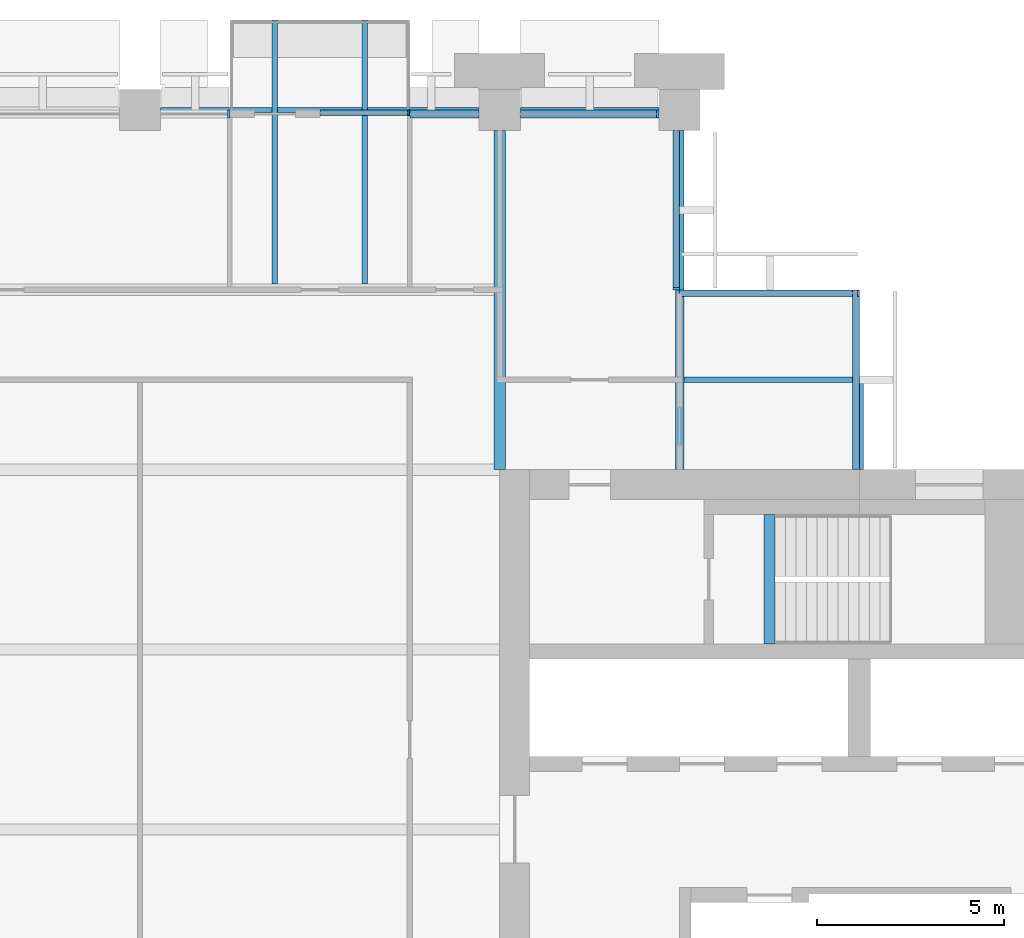
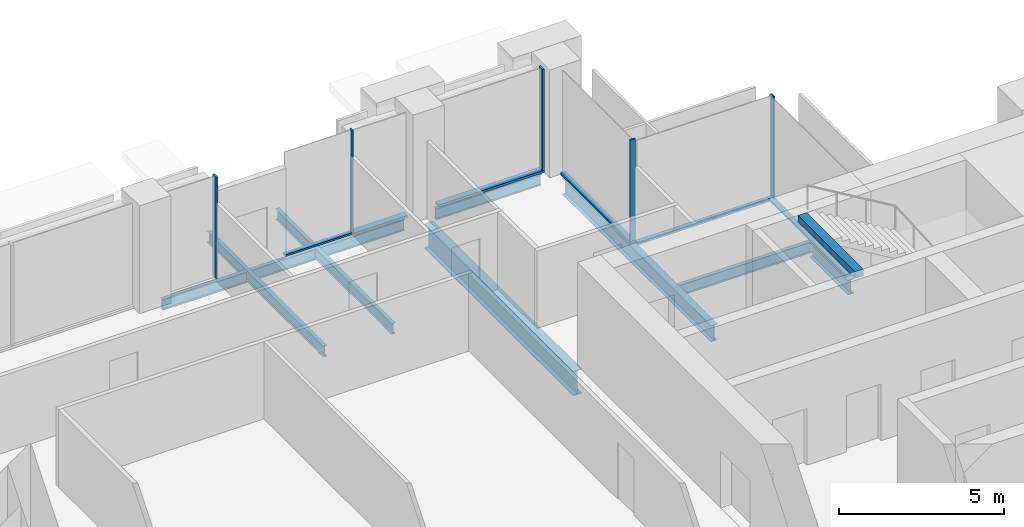
# One storey, part 6 of 14: 11 beams, 11 members, 6 elements without a shape of their own.
"""IFC4 building model written with IfcOpenShell, lengths in metres."""

import ifcopenshell
import ifcopenshell.guid

model = None  # the IFC model being written
_history = None  # IfcOwnerHistory: only IFC2X3 demands one
_inside = {}  # id of a spatial element -> (the spatial element, [elements in it])
_under = {}  # id of a project, library or spatial element -> (it, [spatial elements below it])
_declared = {}  # id of a project -> (the project, [libraries it declares])
_typed = {}  # id of a type object -> (the type object, [elements of that type])
_made_of = {}  # id of a material, layer set ... -> (it, [elements and type objects made of it])


def new_model(schema):
    """Start an empty IFC model of exactly this schema.

    Asked for "IFC4X3", IfcOpenShell would pick the latest addendum, in which some entities
    have other attributes; the version numbers below select the first issue.
    IFC2X3 requires an IfcOwnerHistory on every rooted entity: one is made here for all.
    """
    global model, _history
    if schema == "IFC4X3":
        model = ifcopenshell.file(schema_version=(4, 3, 0, 0))
    else:
        model = ifcopenshell.file(schema=schema)
    _inside.clear()
    _under.clear()
    _declared.clear()
    _typed.clear()
    _made_of.clear()
    _history = None
    if model.schema == "IFC2X3":
        org = make("IfcOrganization", Name="unknown")
        user = make(
            "IfcPersonAndOrganization",
            ThePerson=make("IfcPerson", FamilyName="unknown"),
            TheOrganization=org,
        )
        app = make(
            "IfcApplication",
            ApplicationDeveloper=org,
            Version="unknown",
            ApplicationFullName="unknown",
            ApplicationIdentifier="unknown",
        )
        _history = make(
            "IfcOwnerHistory",
            OwningUser=user,
            OwningApplication=app,
            ChangeAction="ADDED",
            CreationDate=0,
        )
    return model


def make(cls, **values):
    """One entity of the class cls with the attributes given. An attribute that is None is left unset."""
    return model.create_entity(
        cls, **{name: value for name, value in values.items() if value is not None}
    )


def rooted(cls, **values):
    """An entity with a GlobalId (a new one), such as an element, a storey or a relation."""
    return make(cls, GlobalId=ifcopenshell.guid.new(), OwnerHistory=_history, **values)


def si_unit(unit_type, name, prefix=None):
    """IfcSIUnit, for example si_unit("LENGTHUNIT", "METRE", prefix="MILLI")."""
    return make("IfcSIUnit", UnitType=unit_type, Prefix=prefix, Name=name)


def assignment(units):
    """IfcUnitAssignment: the units of a project."""
    return None if units is None else make("IfcUnitAssignment", Units=units)


def point(xyz):
    """IfcCartesianPoint."""
    return None if xyz is None else make("IfcCartesianPoint", Coordinates=xyz)


def direction(xyz):
    """IfcDirection."""
    return None if xyz is None else make("IfcDirection", DirectionRatios=xyz)


def frame(location, z_axis=None, x_axis=None):
    """IfcAxis2Placement3D, a coordinate frame: its origin and axes. An axis left out is left unset."""
    return make(
        "IfcAxis2Placement3D",
        Location=point(location),
        Axis=direction(z_axis),
        RefDirection=direction(x_axis),
    )


def frame_2d(location, x_axis=None):
    """IfcAxis2Placement2D, a coordinate frame in the plane: its origin and x axis."""
    return make(
        "IfcAxis2Placement2D", Location=point(location), RefDirection=direction(x_axis)
    )


def origin():
    """The frame at (0, 0, 0) with its axes left unset."""
    return frame((0.0, 0.0, 0.0))


def origin_2d():
    """The frame at (0, 0) in the plane with its x axis left unset."""
    return frame_2d((0.0, 0.0))


def place(relative_to, where):
    """IfcLocalPlacement: puts the frame where relative to a parent placement (None: the world)."""
    return make(
        "IfcLocalPlacement", PlacementRelTo=relative_to, RelativePlacement=where
    )


def context(
    kind, dimensions, precision=None, world=None, true_north=None, identifier=None
):
    """IfcGeometricRepresentationContext, for example the 3D "Model" context."""
    return make(
        "IfcGeometricRepresentationContext",
        ContextIdentifier=identifier,
        ContextType=kind,
        CoordinateSpaceDimension=dimensions,
        Precision=precision,
        WorldCoordinateSystem=world,
        TrueNorth=true_north,
    )


def subcontext(parent, identifier, kind, view, scale=None):
    """IfcGeometricRepresentationSubContext, for example "Body" below "Model"."""
    return make(
        "IfcGeometricRepresentationSubContext",
        ContextIdentifier=identifier,
        ContextType=kind,
        ParentContext=parent,
        TargetScale=scale,
        TargetView=view,
    )


def project(units=None, contexts=None):
    """IfcProject with its units and contexts."""
    return rooted(
        "IfcProject",
        Name="project",
        RepresentationContexts=contexts,
        UnitsInContext=assignment(units),
    )


def spatial(cls, under=None, at=None, **own):
    """A site, building, storey or space (cls), placed at a placement, below another one or the project."""
    s = rooted(cls, ObjectPlacement=at, **own)
    if under is not None:
        _under.setdefault(under.id(), (under, []))[1].append(s)
    return s


def profile(cls, at=None, kind="AREA", **sizes):
    """A parametric profile (cls). Its sizes go by their IFC names, for example OverallWidth=200.0."""
    return make(cls, ProfileType=kind, Position=at, **sizes)


def rectangle(**sizes):
    """IfcRectangleProfileDef."""
    return profile("IfcRectangleProfileDef", **sizes)


def i_section(**sizes):
    """IfcIShapeProfileDef."""
    return profile("IfcIShapeProfileDef", **sizes)


def extrude(swept, where, along, depth):
    """IfcExtrudedAreaSolid: the profile swept, set in the frame where, extruded along a direction by depth."""
    return make(
        "IfcExtrudedAreaSolid",
        SweptArea=swept,
        Position=where,
        ExtrudedDirection=direction(along),
        Depth=depth,
    )


def shape(context_of_items, identifier, shape_type, items):
    """IfcShapeRepresentation: the items that make up one representation, for example the "Body"."""
    return make(
        "IfcShapeRepresentation",
        ContextOfItems=context_of_items,
        RepresentationIdentifier=identifier,
        RepresentationType=shape_type,
        Items=items,
    )


def material(Name=None, Category=None):
    """IfcMaterial."""
    return make("IfcMaterial", Name=Name, Category=Category)


def material_profile(
    of_material, cross_section, Name=None, Category=None, Priority=None
):
    """IfcMaterialProfile: a cross section and its material."""
    return make(
        "IfcMaterialProfile",
        Name=Name,
        Material=of_material,
        Profile=cross_section,
        Priority=Priority,
        Category=Category,
    )


def profile_set(profiles, Name=None, composite=None):
    """IfcMaterialProfileSet."""
    return make(
        "IfcMaterialProfileSet",
        Name=Name,
        MaterialProfiles=profiles,
        CompositeProfile=composite,
    )


def made_of(thing, what):
    """Note that an element or type object is made of a material, layer set ...; save() writes the relation."""
    if what is not None:
        _made_of.setdefault(what.id(), (what, []))[1].append(thing)
    return thing


def type_object(cls, material=None, **own):
    """A type object (cls), such as IfcWallType, which elements share."""
    return made_of(rooted(cls, **own), material)


def element(
    cls,
    number,
    at=None,
    inside=None,
    cuts=None,
    type_object=None,
    material=None,
    context=None,
    identifier="Body",
    shape_type=None,
    held_by="IfcProductDefinitionShape",
    body=None,
    shapes=None,
    **own,
):
    """One element of the class cls, such as IfcWall. Its Tag is "e" and its number.

    at: its placement. inside: the storey or other place that contains it. cuts: it is an
    opening in that element (IfcRelVoidsElement). A single representation is given by context,
    identifier, shape_type and body (its items); several are given by shapes. held_by: the class
    of the entity that holds the representations. save() writes the other relations.
    """
    e = rooted(cls, Tag="e%d" % number, ObjectPlacement=at, **own)
    if body is not None:
        shapes = [shape(context, identifier, shape_type, body)]
    if shapes is not None:
        e.Representation = make(held_by, Representations=shapes)
    if inside is not None:
        _inside.setdefault(inside.id(), (inside, []))[1].append(e)
    if cuts is not None:
        rooted(
            "IfcRelVoidsElement", RelatingBuildingElement=cuts, RelatedOpeningElement=e
        )
    if type_object is not None:
        _typed.setdefault(type_object.id(), (type_object, []))[1].append(e)
    return made_of(e, material)


def aggregate(whole, parts):
    """IfcRelAggregates: a whole, such as a stair, and the parts it consists of."""
    return rooted("IfcRelAggregates", RelatingObject=whole, RelatedObjects=parts)


def save(model, path):
    """Write the relations noted so far, then the file.

    IfcRelAggregates (storeys below a building ...), IfcRelContainedInSpatialStructure (elements
    in a storey), IfcRelDefinesByType, IfcRelAssociatesMaterial and IfcRelDeclares: one each for
    every whole, place, type object, material and project.
    """
    for whole, parts in _under.values():
        aggregate(whole, parts)
    for where, things in _inside.values():
        rooted(
            "IfcRelContainedInSpatialStructure",
            RelatedElements=things,
            RelatingStructure=where,
        )
    for kind, things in _typed.values():
        rooted("IfcRelDefinesByType", RelatedObjects=things, RelatingType=kind)
    for what, things in _made_of.values():
        rooted("IfcRelAssociatesMaterial", RelatedObjects=things, RelatingMaterial=what)
    for by, libraries in _declared.values():
        rooted("IfcRelDeclares", RelatingContext=by, RelatedDefinitions=libraries)
    model.write(path)


model = new_model("IFC4")

# Units and contexts
model_context = context("Model", 3, precision=1e-05, world=origin(), true_north=direction((0.0, 1.0)))
body_context = subcontext(model_context, "Body", "Model", "MODEL_VIEW")
ifc_project = project(units=[si_unit("LENGTHUNIT", "METRE"), si_unit("AREAUNIT", "SQUARE_METRE"), si_unit("VOLUMEUNIT", "CUBIC_METRE"), si_unit("PLANEANGLEUNIT", "RADIAN"), si_unit("MASSUNIT", "GRAM", prefix="KILO")], contexts=[model_context])

# Site, building, storey
site_placement = place(None, origin())
site = spatial("IfcSite", under=ifc_project, at=site_placement, CompositionType="ELEMENT")
building_placement = place(site_placement, origin())
building = spatial("IfcBuilding", under=site, at=building_placement, Name="Baori Bourse Tower", CompositionType="ELEMENT")
storey_placement = place(building_placement, frame((0.0, 0.0, 197.199951171875)))
storey = spatial("IfcBuildingStorey", under=building, at=storey_placement, Name="L42", CompositionType="ELEMENT", Elevation=197.199951171875)

# Beams
ifc_material_1 = material(Name="Steel A992 Gr 50", Category="steel")
ifc_material_profile_1 = material_profile(ifc_material_1, i_section(OverallWidth=0.140380859375, OverallDepth=0.40380859375, WebThickness=0.007080078125, FlangeThickness=0.01123046875, at=origin_2d()), Name="W16x31")
ifc_profile_set_1 = profile_set([ifc_material_profile_1], Name="Steel A992 Gr 50")
beam_type_1 = type_object("IfcBeamType", Name="Balcony beam W16x31", PredefinedType="BEAM", material=ifc_profile_set_1)
for number, where, z_axis, x_axis, name in (
    (1, (32.39990234375, 50.39990234375, -0.36181640625), (0.0, -1.0, 0.0), (1.0, 0.0, 0.0), "Balcony beam L42"),
    (2, (34.800048828125, 50.39990234375, -0.36181640625), (0.0, -1.0, 0.0), (1.0, 0.0, 0.0), "Balcony beam L42"),
):
    element("IfcBeam", number, at=place(storey_placement, frame(where, z_axis=z_axis, x_axis=x_axis)), inside=storey, type_object=beam_type_1, Name=name, PredefinedType="BEAM", context=body_context, shape_type="SweptSolid", body=[
        extrude(i_section(OverallWidth=0.140380859375, OverallDepth=0.40380859375, WebThickness=0.007080078125, FlangeThickness=0.01123046875, at=origin_2d()), origin(), (0.0, 0.0, 1.0), 7.050048828125),
    ])

# Curtain wall, member
ifc_material_2 = material(Name="Pale anodised aluminium", Category="aluminium")
curtain_wall_type_1 = type_object("IfcCurtainWallType", Name="CW2 Curtain wall", PredefinedType="NOTDEFINED", material=ifc_material_2)
curtain_wall_1_placement = place(storey_placement, origin())
curtain_wall_1 = element("IfcCurtainWall", 3, at=curtain_wall_1_placement, inside=storey, type_object=curtain_wall_type_1, Name="Curtain wall CW2 L42 2", PredefinedType="NOTDEFINED")
ifc_material_3 = material(Name="Pale anodised aluminium", Category="aluminium")
ifc_material_profile_2 = material_profile(ifc_material_3, rectangle(XDim=0.179931640625, YDim=0.054931640625, at=origin_2d()), Name="Mullion 55x180")
ifc_profile_set_2 = profile_set([ifc_material_profile_2], Name="Pale anodised aluminium")
member_type_1 = type_object("IfcMemberType", Name="CW2 Curtain wall mullion", PredefinedType="MULLION", material=ifc_profile_set_2)
member_1_placement = place(storey_placement, frame((47.972412109375, 43.110107421875, 0.070068359375), z_axis=(0.0, 0.0, 1.0), x_axis=(0.0, -1.0, 0.0)))
member_1 = element("IfcMember", 4, at=member_1_placement, type_object=member_type_1, Name="Curtain wall CW2 mullion", PredefinedType="MULLION", context=body_context, shape_type="SweptSolid", body=[
    extrude(rectangle(XDim=0.179931640625, YDim=0.054931640625, at=origin_2d()), origin(), (0.0, 0.0, 1.0), 3.77001953125),
])

curtain_wall_2_placement = place(storey_placement, origin())
curtain_wall_2 = element("IfcCurtainWall", 5, at=curtain_wall_2_placement, inside=storey, type_object=curtain_wall_type_1, Name="Curtain wall CW2 L42 3", PredefinedType="NOTDEFINED")
member_2_placement = place(storey_placement, frame((43.110107421875, 43.2275390625, 0.070068359375), z_axis=(0.0, 0.0, 1.0), x_axis=(-1.0, 0.0, 0.0)))
member_2 = element("IfcMember", 6, at=member_2_placement, type_object=member_type_1, Name="Curtain wall CW2 mullion", PredefinedType="MULLION", context=body_context, shape_type="SweptSolid", body=[
    extrude(rectangle(XDim=0.179931640625, YDim=0.054931640625, at=origin_2d()), origin(), (0.0, 0.0, 1.0), 3.77001953125),
])

curtain_wall_3_placement = place(storey_placement, origin())
curtain_wall_3 = element("IfcCurtainWall", 7, at=curtain_wall_3_placement, inside=storey, type_object=curtain_wall_type_1, Name="Curtain wall CW2 L42 1", PredefinedType="NOTDEFINED")
ifc_material_4 = material(Name="Pale anodised aluminium", Category="aluminium")
ifc_material_profile_3 = material_profile(ifc_material_4, rectangle(XDim=0.179931640625, YDim=0.070068359375, at=origin_2d()), Name="Transom 70x180")
ifc_profile_set_3 = profile_set([ifc_material_profile_3], Name="Pale anodised aluminium")
member_type_2 = type_object("IfcMemberType", Name="CW2 Curtain wall transom", PredefinedType="USERDEFINED", material=ifc_profile_set_3)
member_3_placement = place(storey_placement, frame((47.909912109375, 38.39990234375, 0.03515625), z_axis=(0.0, 1.0, 0.0), x_axis=(-1.0, 0.0, 0.0)))
member_3 = element("IfcMember", 8, at=member_3_placement, type_object=member_type_2, Name="Curtain wall CW2 sill rail", ObjectType="TRANSOM", PredefinedType="USERDEFINED", context=body_context, shape_type="SweptSolid", body=[
    extrude(rectangle(XDim=0.179931640625, YDim=0.070068359375, at=origin_2d()), origin(), (0.0, 0.0, 1.0), 4.800048828125),
])
aggregate(curtain_wall_3, [member_3])

# Member
member_4_placement = place(storey_placement, frame((48.0, 43.110107421875, 0.03515625), z_axis=(-1.0, 0.0, 0.0), x_axis=(0.0, -1.0, 0.0)))
member_4 = element("IfcMember", 9, at=member_4_placement, type_object=member_type_2, Name="Curtain wall CW2 sill rail", ObjectType="TRANSOM", PredefinedType="USERDEFINED", context=body_context, shape_type="SweptSolid", body=[
    extrude(rectangle(XDim=0.179931640625, YDim=0.070068359375, at=origin_2d()), origin(), (0.0, 0.0, 1.0), 4.800048828125),
])

aggregate(curtain_wall_1, [member_4, member_1])

member_5_placement = place(storey_placement, frame((43.110107421875, 43.199951171875, 0.03515625), z_axis=(0.0, 1.0, 0.0), x_axis=(-1.0, 0.0, 0.0)))
member_5 = element("IfcMember", 10, at=member_5_placement, type_object=member_type_2, Name="Curtain wall CW2 sill rail", ObjectType="TRANSOM", PredefinedType="USERDEFINED", context=body_context, shape_type="SweptSolid", body=[
    extrude(rectangle(XDim=0.179931640625, YDim=0.070068359375, at=origin_2d()), origin(), (0.0, 0.0, 1.0), 4.25),
])

aggregate(curtain_wall_2, [member_5, member_2])

# Curtain wall, member
ifc_material_5 = material(Name="Pale anodised aluminium", Category="aluminium")
curtain_wall_type_2 = type_object("IfcCurtainWallType", Name="CW5 Curtain wall", PredefinedType="NOTDEFINED", material=ifc_material_5)
curtain_wall_4_placement = place(storey_placement, origin())
curtain_wall_4 = element("IfcCurtainWall", 11, at=curtain_wall_4_placement, inside=storey, type_object=curtain_wall_type_2, Name="Curtain wall CW5 L42 4", PredefinedType="NOTDEFINED")
ifc_material_6 = material(Name="Pale anodised aluminium", Category="aluminium")
ifc_material_profile_4 = material_profile(ifc_material_6, rectangle(XDim=0.219970703125, YDim=0.06494140625, at=origin_2d()), Name="Mullion 65x220")
ifc_profile_set_4 = profile_set([ifc_material_profile_4], Name="Pale anodised aluminium")
member_type_3 = type_object("IfcMemberType", Name="CW5 Curtain wall mullion", PredefinedType="MULLION", material=ifc_profile_set_4)
member_6_placement = place(storey_placement, frame((42.617431640625, 47.889892578125, 0.0849609375), z_axis=(0.0, 0.0, 1.0), x_axis=(0.0, -1.0, 0.0)))
member_6 = element("IfcMember", 12, at=member_6_placement, type_object=member_type_3, Name="Curtain wall CW5 mullion", PredefinedType="MULLION", context=body_context, shape_type="SweptSolid", body=[
    extrude(rectangle(XDim=0.219970703125, YDim=0.06494140625, at=origin_2d()), origin(), (0.0, 0.0, 1.0), 3.755126953125),
])

curtain_wall_5_placement = place(storey_placement, origin())
curtain_wall_5 = element("IfcCurtainWall", 13, at=curtain_wall_5_placement, inside=storey, type_object=curtain_wall_type_2, Name="Curtain wall CW5 L42 6", PredefinedType="NOTDEFINED")
member_7_placement = place(storey_placement, frame((31.16748046875, 47.889892578125, 0.0849609375), z_axis=(0.0, 0.0, 1.0), x_axis=(0.0, -1.0, 0.0)))
member_7 = element("IfcMember", 14, at=member_7_placement, type_object=member_type_3, Name="Curtain wall CW5 mullion", PredefinedType="MULLION", context=body_context, shape_type="SweptSolid", body=[
    extrude(rectangle(XDim=0.219970703125, YDim=0.06494140625, at=origin_2d()), origin(), (0.0, 0.0, 1.0), 3.755126953125),
])
aggregate(curtain_wall_5, [member_7])

# Member
ifc_material_7 = material(Name="Pale anodised aluminium", Category="aluminium")
ifc_material_profile_5 = material_profile(ifc_material_7, rectangle(XDim=0.219970703125, YDim=0.0849609375, at=origin_2d()), Name="Transom 85x220")
ifc_profile_set_5 = profile_set([ifc_material_profile_5], Name="Pale anodised aluminium")
member_type_4 = type_object("IfcMemberType", Name="CW5 Curtain wall transom", PredefinedType="USERDEFINED", material=ifc_profile_set_5)
member_8_placement = place(storey_placement, frame((42.64990234375, 47.889892578125, 0.04248046875), z_axis=(-1.0, 0.0, 0.0), x_axis=(0.0, -1.0, 0.0)))
member_8 = element("IfcMember", 15, at=member_8_placement, type_object=member_type_4, Name="Curtain wall CW5 sill rail", ObjectType="TRANSOM", PredefinedType="USERDEFINED", context=body_context, shape_type="SweptSolid", body=[
    extrude(rectangle(XDim=0.219970703125, YDim=0.0849609375, at=origin_2d()), origin(), (0.0, 0.0, 1.0), 3.699951171875),
])

member_9_placement = place(storey_placement, frame((37.85009765625, 47.889892578125, 0.04248046875), z_axis=(-1.0, 0.0, 0.0), x_axis=(0.0, -1.0, 0.0)))
member_9 = element("IfcMember", 16, at=member_9_placement, type_object=member_type_4, Name="Curtain wall CW5 sill rail", ObjectType="TRANSOM", PredefinedType="USERDEFINED", context=body_context, shape_type="SweptSolid", body=[
    extrude(rectangle(XDim=0.219970703125, YDim=0.0849609375, at=origin_2d()), origin(), (0.0, 0.0, 1.0), 1.85009765625),
])

aggregate(curtain_wall_4, [member_8, member_6, member_9])

# Curtain wall, members
ifc_material_8 = material(Name="Pale anodised aluminium", Category="aluminium")
curtain_wall_type_3 = type_object("IfcCurtainWallType", Name="CW6 Curtain wall", PredefinedType="NOTDEFINED", material=ifc_material_8)
curtain_wall_6_placement = place(storey_placement, origin())
curtain_wall_6 = element("IfcCurtainWall", 17, at=curtain_wall_6_placement, inside=storey, type_object=curtain_wall_type_3, Name="Curtain wall CW6 L42 5", PredefinedType="NOTDEFINED")
ifc_material_9 = material(Name="Pale anodised aluminium", Category="aluminium")
ifc_material_profile_6 = material_profile(ifc_material_9, rectangle(XDim=0.14990234375, YDim=0.050048828125, at=origin_2d()), Name="Mullion 50x150")
ifc_profile_set_6 = profile_set([ifc_material_profile_6], Name="Pale anodised aluminium")
member_type_5 = type_object("IfcMemberType", Name="CW6 Curtain wall mullion", PredefinedType="MULLION", material=ifc_profile_set_6)
member_10_placement = place(storey_placement, frame((35.97509765625, 47.925048828125, 0.06494140625), z_axis=(0.0, 0.0, 1.0), x_axis=(0.0, -1.0, 0.0)))
member_10 = element("IfcMember", 18, at=member_10_placement, type_object=member_type_5, Name="Curtain wall CW6 mullion", PredefinedType="MULLION", context=body_context, shape_type="SweptSolid", body=[
    extrude(rectangle(XDim=0.14990234375, YDim=0.050048828125, at=origin_2d()), origin(), (0.0, 0.0, 1.0), 3.775146484375),
])
ifc_material_10 = material(Name="Pale anodised aluminium", Category="aluminium")
ifc_material_profile_7 = material_profile(ifc_material_10, rectangle(XDim=0.14990234375, YDim=0.06494140625, at=origin_2d()), Name="Transom 65x150")
ifc_profile_set_7 = profile_set([ifc_material_profile_7], Name="Pale anodised aluminium")
member_type_6 = type_object("IfcMemberType", Name="CW6 Curtain wall transom", PredefinedType="USERDEFINED", material=ifc_profile_set_7)
member_11_placement = place(storey_placement, frame((36.0, 47.925048828125, 0.032470703125), z_axis=(-1.0, 0.0, 0.0), x_axis=(0.0, -1.0, 0.0)))
member_11 = element("IfcMember", 19, at=member_11_placement, type_object=member_type_6, Name="Curtain wall CW6 sill rail", ObjectType="TRANSOM", PredefinedType="USERDEFINED", context=body_context, shape_type="SweptSolid", body=[
    extrude(rectangle(XDim=0.14990234375, YDim=0.06494140625, at=origin_2d()), origin(), (0.0, 0.0, 1.0), 2.39990234375),
])
aggregate(curtain_wall_6, [member_11, member_10])

# Beams
ifc_material_11 = material(Name="Steel A992 Gr 50", Category="steel")
ifc_material_profile_8 = material_profile(ifc_material_11, i_section(OverallWidth=0.21240234375, OverallDepth=0.54345703125, WebThickness=0.01318359375, FlangeThickness=0.021240234375, at=origin_2d()), Name="W21x83")
ifc_profile_set_8 = profile_set([ifc_material_profile_8], Name="Steel A992 Gr 50")
beam_type_2 = type_object("IfcBeamType", Name="Core bracket W21x83", PredefinedType="BEAM", material=ifc_profile_set_8)
beam_1_placement = place(storey_placement, frame((48.0, 38.39990234375, -0.431640625), z_axis=(0.0, 1.0, 0.0), x_axis=(-1.0, 0.0, 0.0)))
element("IfcBeam", 20, at=beam_1_placement, inside=storey, type_object=beam_type_2, Name="Core bracket L42", PredefinedType="BEAM", context=body_context, shape_type="SweptSolid", body=[
    extrude(i_section(OverallWidth=0.21240234375, OverallDepth=0.54345703125, WebThickness=0.01318359375, FlangeThickness=0.021240234375, at=origin_2d()), origin(), (0.0, 0.0, 1.0), 2.329833984375),
])
ifc_material_12 = material(Name="Steel A992 Gr 50", Category="steel")
ifc_material_profile_9 = material_profile(ifc_material_12, i_section(OverallWidth=0.140380859375, OverallDepth=0.40380859375, WebThickness=0.007080078125, FlangeThickness=0.01123046875, at=origin_2d()), Name="W16x31")
ifc_profile_set_9 = profile_set([ifc_material_profile_9], Name="Steel A992 Gr 50")
beam_type_3 = type_object("IfcBeamType", Name="Edge beam W16x31", PredefinedType="BEAM", material=ifc_profile_set_9)
beam_2_placement = place(storey_placement, frame((29.35009765625, 48.0, -0.36181640625), z_axis=(1.0, 0.0, 0.0), x_axis=(0.0, 1.0, 0.0)))
element("IfcBeam", 21, at=beam_2_placement, inside=storey, type_object=beam_type_3, Name="Edge beam L42", PredefinedType="BEAM", context=body_context, shape_type="SweptSolid", body=[
    extrude(i_section(OverallWidth=0.140380859375, OverallDepth=0.40380859375, WebThickness=0.007080078125, FlangeThickness=0.01123046875, at=origin_2d()), origin(), (0.0, 0.0, 1.0), 2.979736328125),
])
beam_3_placement = place(storey_placement, frame((32.47021484375, 48.0, -0.36181640625), z_axis=(1.0, 0.0, 0.0), x_axis=(0.0, 1.0, 0.0)))
element("IfcBeam", 22, at=beam_3_placement, inside=storey, type_object=beam_type_3, Name="Edge beam L42", PredefinedType="BEAM", context=body_context, shape_type="SweptSolid", body=[
    extrude(i_section(OverallWidth=0.140380859375, OverallDepth=0.40380859375, WebThickness=0.007080078125, FlangeThickness=0.01123046875, at=origin_2d()), origin(), (0.0, 0.0, 1.0), 2.259521484375),
])
beam_4_placement = place(storey_placement, frame((34.8701171875, 48.0, -0.36181640625), z_axis=(1.0, 0.0, 0.0), x_axis=(0.0, 1.0, 0.0)))
element("IfcBeam", 23, at=beam_4_placement, inside=storey, type_object=beam_type_3, Name="Edge beam L42", PredefinedType="BEAM", context=body_context, shape_type="SweptSolid", body=[
    extrude(i_section(OverallWidth=0.140380859375, OverallDepth=0.40380859375, WebThickness=0.007080078125, FlangeThickness=0.01123046875, at=origin_2d()), origin(), (0.0, 0.0, 1.0), 2.97998046875),
])
beam_5_placement = place(storey_placement, frame((38.949951171875, 48.0, -0.36181640625), z_axis=(1.0, 0.0, 0.0), x_axis=(0.0, 1.0, 0.0)))
element("IfcBeam", 24, at=beam_5_placement, inside=storey, type_object=beam_type_3, Name="Edge beam L42", PredefinedType="BEAM", context=body_context, shape_type="SweptSolid", body=[
    extrude(i_section(OverallWidth=0.140380859375, OverallDepth=0.40380859375, WebThickness=0.007080078125, FlangeThickness=0.01123046875, at=origin_2d()), origin(), (0.0, 0.0, 1.0), 3.699951171875),
])
ifc_material_13 = material(Name="Steel A992 Gr 50", Category="steel")
ifc_material_profile_10 = material_profile(ifc_material_13, i_section(OverallWidth=0.227783203125, OverallDepth=0.60205078125, WebThickness=0.010498046875, FlangeThickness=0.014892578125, at=origin_2d()), Name="W24x68")
ifc_profile_set_10 = profile_set([ifc_material_profile_10], Name="Steel A992 Gr 50")
beam_type_4 = type_object("IfcBeamType", Name="Floor beam W24x68", PredefinedType="BEAM", material=ifc_profile_set_10)
beam_6_placement = place(storey_placement, frame((43.199951171875, 38.39990234375, -0.4609375), z_axis=(0.0, 1.0, 0.0), x_axis=(-1.0, 0.0, 0.0)))
element("IfcBeam", 25, at=beam_6_placement, inside=storey, type_object=beam_type_4, Name="Floor beam L42", PredefinedType="BEAM", context=body_context, shape_type="SweptSolid", body=[
    extrude(i_section(OverallWidth=0.227783203125, OverallDepth=0.60205078125, WebThickness=0.010498046875, FlangeThickness=0.014892578125, at=origin_2d()), origin(), (0.0, 0.0, 1.0), 9.050048828125),
])
ifc_material_14 = material(Name="Steel A992 Gr 50", Category="steel")
ifc_material_profile_11 = material_profile(ifc_material_14, i_section(OverallWidth=0.3046875, OverallDepth=0.904296875, WebThickness=0.01513671875, FlangeThickness=0.02001953125, at=origin_2d()), Name="W36x135")
ifc_profile_set_11 = profile_set([ifc_material_profile_11], Name="Steel A992 Gr 50")
beam_type_5 = type_object("IfcBeamType", Name="Girder W36x135", PredefinedType="BEAM", material=ifc_profile_set_11)
beam_7_placement = place(storey_placement, frame((38.39990234375, 38.39990234375, -0.612060546875), z_axis=(0.0, 1.0, 0.0), x_axis=(-1.0, 0.0, 0.0)))
element("IfcBeam", 26, at=beam_7_placement, inside=storey, type_object=beam_type_5, Name="Girder L42", PredefinedType="BEAM", context=body_context, shape_type="SweptSolid", body=[
    extrude(i_section(OverallWidth=0.3046875, OverallDepth=0.904296875, WebThickness=0.01513671875, FlangeThickness=0.02001953125, at=origin_2d()), origin(), (0.0, 0.0, 1.0), 9.050048828125),
])
ifc_material_15 = material(Name="Concrete f'c 50 MPa", Category="concrete")
ifc_material_profile_12 = material_profile(ifc_material_15, rectangle(XDim=0.300048828125, YDim=0.25, at=origin_2d()), Name="RC 300x250")
ifc_profile_set_12 = profile_set([ifc_material_profile_12], Name="Concrete f'c 50 MPa")
beam_type_6 = type_object("IfcBeamType", Name="Stair nib beam RC 300x250", PredefinedType="BEAM", material=ifc_profile_set_12)
beam_8_placement = place(storey_placement, frame((45.60009765625, 33.75, 3.715087890625), z_axis=(0.0, 1.0, 0.0), x_axis=(-1.0, 0.0, 0.0)))
element("IfcBeam", 27, at=beam_8_placement, inside=storey, type_object=beam_type_6, Name="Stair EB nib beam L43", PredefinedType="BEAM", context=body_context, shape_type="SweptSolid", body=[
    extrude(rectangle(XDim=0.300048828125, YDim=0.25, at=origin_2d()), origin(), (0.0, 0.0, 1.0), 3.449951171875),
])
ifc_material_16 = material(Name="Steel A992 Gr 50", Category="steel")
ifc_material_profile_13 = material_profile(ifc_material_16, i_section(OverallWidth=0.140380859375, OverallDepth=0.40380859375, WebThickness=0.007080078125, FlangeThickness=0.01123046875, at=origin_2d()), Name="W16x31")
ifc_profile_set_13 = profile_set([ifc_material_profile_13], Name="Steel A992 Gr 50")
beam_type_7 = type_object("IfcBeamType", Name="Trimmer beam W16x31", PredefinedType="BEAM", material=ifc_profile_set_13)
beam_9_placement = place(storey_placement, frame((43.31396484375, 40.800048828125, -0.36181640625), z_axis=(1.0, 0.0, 0.0), x_axis=(0.0, 1.0, 0.0)))
element("IfcBeam", 28, at=beam_9_placement, inside=storey, type_object=beam_type_7, Name="Trimmer beam L42", PredefinedType="BEAM", context=body_context, shape_type="SweptSolid", body=[
    extrude(i_section(OverallWidth=0.140380859375, OverallDepth=0.40380859375, WebThickness=0.007080078125, FlangeThickness=0.01123046875, at=origin_2d()), origin(), (0.0, 0.0, 1.0), 4.68603515625),
])

save(model, "model.ifc")
